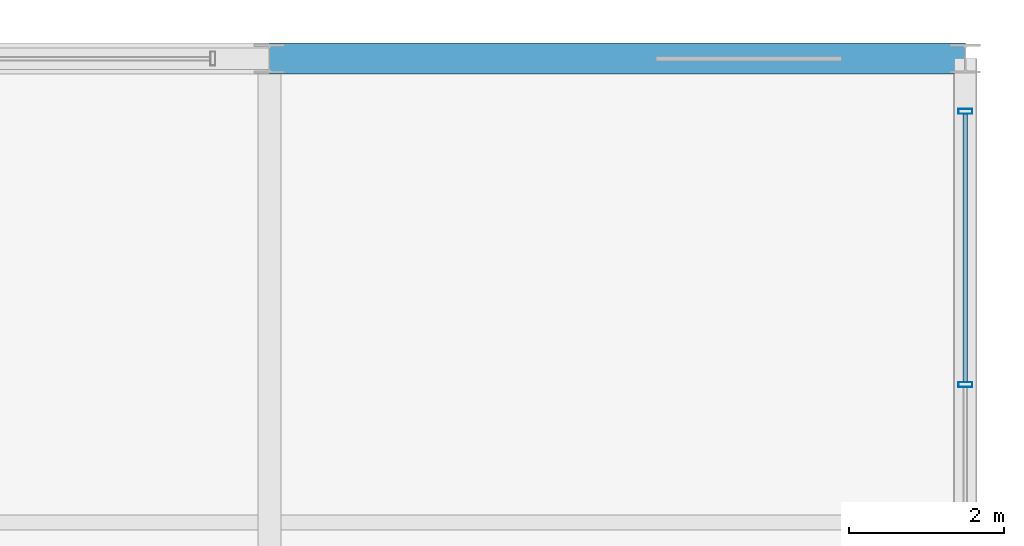
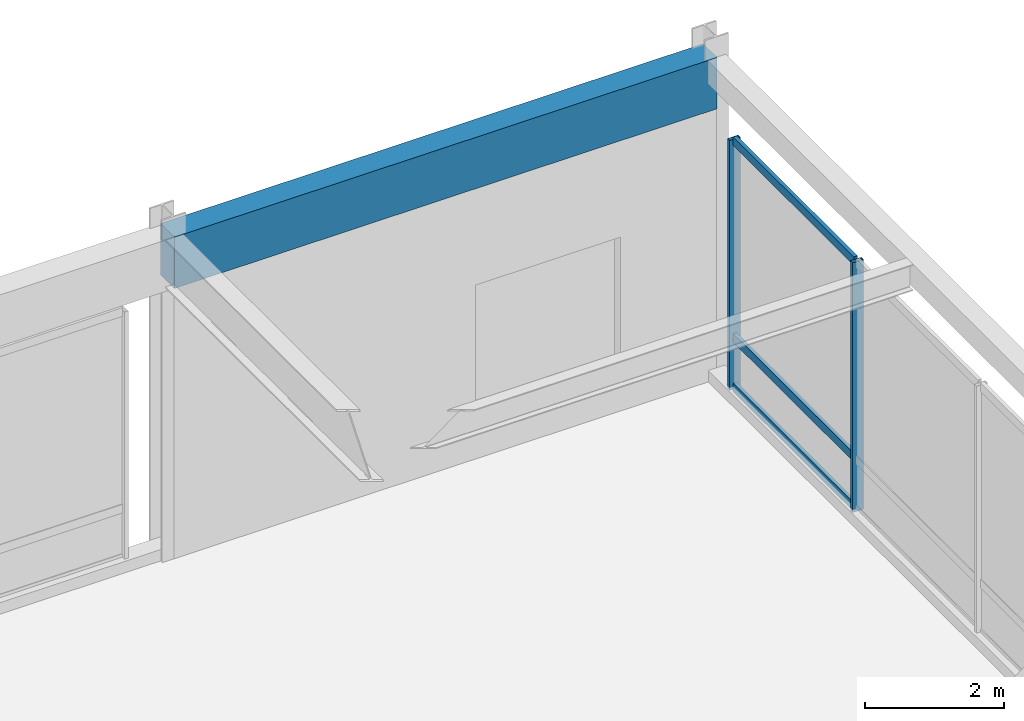
# One storey, part 83 of 108: 5 members, 1 beam, 1 element without a shape of its own.
"""IFC4 building model written with IfcOpenShell, lengths in metres."""

from ifc_helpers import new_model, si_unit, direction, frame, origin, origin_2d, place, context, subcontext, project, spatial, rectangle, hollow_rectangle, extrude, material, material_profile, profile_set, type_object, element, aggregate, save


model = new_model("IFC4")

# Units and contexts
model_context = context("Model", 3, precision=1e-05, world=origin(), true_north=direction((0.0, 1.0)))
body_context = subcontext(model_context, "Body", "Model", "MODEL_VIEW")
ifc_project = project(units=[si_unit("LENGTHUNIT", "METRE"), si_unit("AREAUNIT", "SQUARE_METRE"), si_unit("VOLUMEUNIT", "CUBIC_METRE"), si_unit("PLANEANGLEUNIT", "RADIAN"), si_unit("MASSUNIT", "GRAM", prefix="KILO")], contexts=[model_context])

# Site, building, storey
site_placement = place(None, origin())
site = spatial("IfcSite", under=ifc_project, at=site_placement, CompositionType="ELEMENT")
building_placement = place(site_placement, origin())
building = spatial("IfcBuilding", under=site, at=building_placement, Name="Kaldorvane Square Convention Centre", CompositionType="ELEMENT")
storey_placement = place(building_placement, frame((0.0, 0.0, 12.0)))
storey = spatial("IfcBuildingStorey", under=building, at=storey_placement, Name="L02", CompositionType="ELEMENT", Elevation=12.0)

# Beam
ifc_material_1 = material(Name="Concrete f'c = 42 MPa (Normalweight)", Category="concrete")
ifc_material_profile_1 = material_profile(ifc_material_1, rectangle(XDim=0.399993896484375, YDim=0.899993896484375, at=origin_2d()), Name="RCSP900X400")
ifc_profile_set_1 = profile_set([ifc_material_profile_1], Name="Concrete f'c = 42 MPa (Normalweight)")
beam_type = type_object("IfcBeamType", Name="BM-SP-RC900", PredefinedType="SPANDREL", material=ifc_profile_set_1)
beam_placement = place(storey_placement, frame((165.0, 117.0, 5.1959991455078125), z_axis=(1.0, 0.0, 0.0), x_axis=(0.0, 1.0, 0.0)))
element("IfcBeam", 1, at=beam_placement, inside=storey, type_object=beam_type, Name="Perimeter Spandrel (L02)", PredefinedType="SPANDREL", context=body_context, shape_type="SweptSolid", body=[
    extrude(rectangle(XDim=0.399993896484375, YDim=0.899993896484375, at=origin_2d()), origin(), (0.0, 0.0, 1.0), 9.0),
])

# Curtain wall, members
ifc_material_2 = material(Name="Anodized Aluminum and Low-E Insulated Glazing", Category="aluminium")
curtain_wall_type = type_object("IfcCurtainWallType", Name="CW-UNI-P60-09", PredefinedType="USERDEFINED", material=ifc_material_2)
curtain_wall_placement = place(storey_placement, origin())
curtain_wall = element("IfcCurtainWall", 2, at=curtain_wall_placement, inside=storey, type_object=curtain_wall_type, Name="Curtain Wall CW-02 (L02)", ObjectType="UNITISED GLAZING", PredefinedType="USERDEFINED")
ifc_material_profile_2 = material_profile(ifc_material_2, hollow_rectangle(XDim=0.06500244140625, YDim=0.17999267578125, WallThickness=0.0034942626953125, at=origin_2d()), Name="CWM-180X65")
ifc_profile_set_2 = profile_set([ifc_material_profile_2], Name="Anodized Aluminum and Low-E Insulated Glazing")
member_type_1 = type_object("IfcMemberType", Name="CW-MUL-180", PredefinedType="MULLION", material=ifc_profile_set_2)
member_1_placement = place(storey_placement, frame((174.0, 112.78334045410156, 0.149993896484375), z_axis=(0.0, 0.0, 1.0), x_axis=(0.0, 1.0, 0.0)))
member_1 = element("IfcMember", 3, at=member_1_placement, type_object=member_type_1, Name="CW-02 mullion 3", PredefinedType="MULLION", context=body_context, shape_type="SweptSolid", body=[
    extrude(hollow_rectangle(XDim=0.06500244140625, YDim=0.17999267578125, WallThickness=0.0034942626953125, at=origin_2d()), origin(), (0.0, 0.0, 1.0), 4.3800048828125),
])
member_2_placement = place(storey_placement, frame((174.0, 116.3175048828125, 0.149993896484375), z_axis=(0.0, 0.0, 1.0), x_axis=(0.0, 1.0, 0.0)))
member_2 = element("IfcMember", 4, at=member_2_placement, type_object=member_type_1, Name="CW-02 mullion 4", PredefinedType="MULLION", context=body_context, shape_type="SweptSolid", body=[
    extrude(hollow_rectangle(XDim=0.06500244140625, YDim=0.17999267578125, WallThickness=0.0034942626953125, at=origin_2d()), origin(), (0.0, 0.0, 1.0), 4.3800048828125),
])
ifc_material_profile_3 = material_profile(ifc_material_2, hollow_rectangle(XDim=0.05999755859375, YDim=0.149993896484375, WallThickness=0.003204345703125, at=origin_2d()), Name="CWT-150X60")
ifc_profile_set_3 = profile_set([ifc_material_profile_3], Name="Anodized Aluminum and Low-E Insulated Glazing")
member_type_2 = type_object("IfcMemberType", Name="CW-TRN-150", PredefinedType="USERDEFINED", material=ifc_profile_set_3)
member_3_placement = place(storey_placement, frame((174.0, 112.81582641601562, 0.17999267578125), z_axis=(0.0, 1.0, 0.0), x_axis=(-1.0, 0.0, 0.0)))
member_3 = element("IfcMember", 5, at=member_3_placement, type_object=member_type_2, Name="CW-02 transom 3.1", ObjectType="TRANSOM", PredefinedType="USERDEFINED", context=body_context, shape_type="SweptSolid", body=[
    extrude(hollow_rectangle(XDim=0.05999755859375, YDim=0.149993896484375, WallThickness=0.003204345703125, at=origin_2d()), origin(), (0.0, 0.0, 1.0), 3.46917724609375),
])
member_4_placement = place(storey_placement, frame((174.0, 112.81582641601562, 1.0500030517578125), z_axis=(0.0, 1.0, 0.0), x_axis=(-1.0, 0.0, 0.0)))
member_4 = element("IfcMember", 6, at=member_4_placement, type_object=member_type_2, Name="CW-02 transom 3.2", ObjectType="TRANSOM", PredefinedType="USERDEFINED", context=body_context, shape_type="SweptSolid", body=[
    extrude(hollow_rectangle(XDim=0.05999755859375, YDim=0.149993896484375, WallThickness=0.003204345703125, at=origin_2d()), origin(), (0.0, 0.0, 1.0), 3.46917724609375),
])
member_5_placement = place(storey_placement, frame((174.0, 112.81582641601562, 4.5), z_axis=(0.0, 1.0, 0.0), x_axis=(-1.0, 0.0, 0.0)))
member_5 = element("IfcMember", 7, at=member_5_placement, type_object=member_type_2, Name="CW-02 transom 3.3", ObjectType="TRANSOM", PredefinedType="USERDEFINED", context=body_context, shape_type="SweptSolid", body=[
    extrude(hollow_rectangle(XDim=0.05999755859375, YDim=0.149993896484375, WallThickness=0.003204345703125, at=origin_2d()), origin(), (0.0, 0.0, 1.0), 3.46917724609375),
])
aggregate(curtain_wall, [member_1, member_2, member_3, member_4, member_5])

save(model, "model.ifc")
